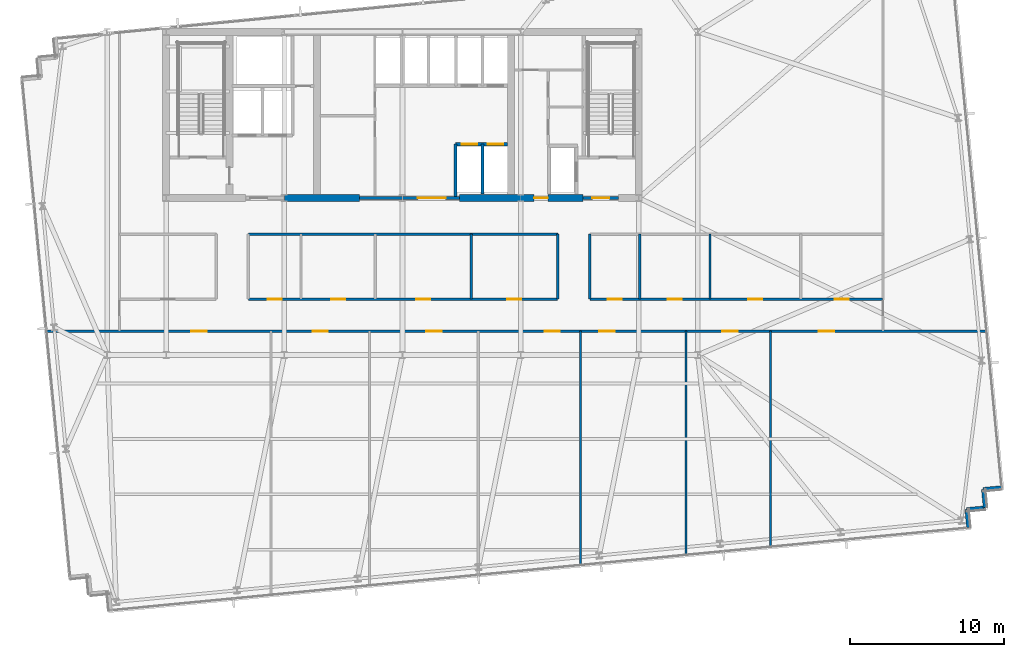
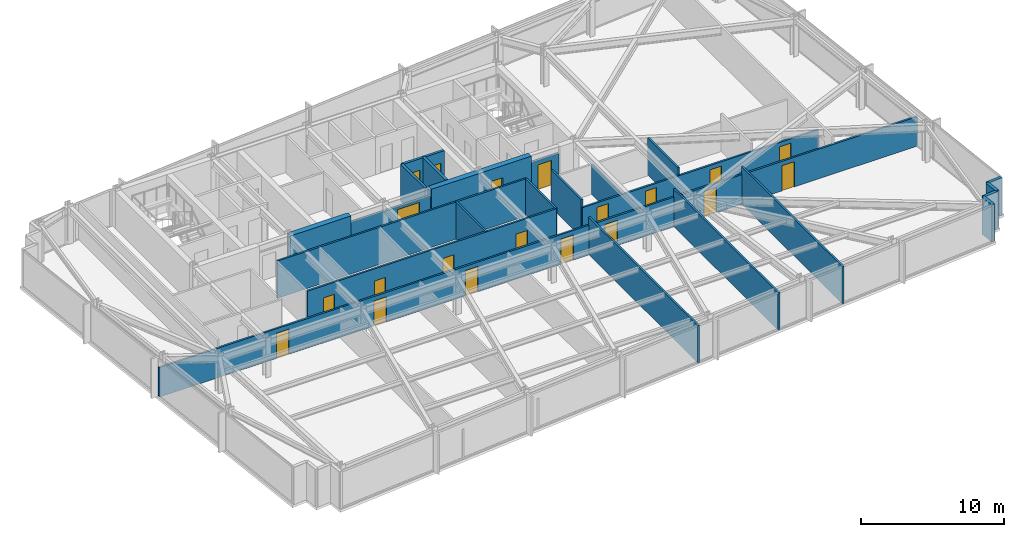
# One storey, part 25 of 33: 23 walls, 20 doors, 20 openings.
"""IFC4 building model written with IfcOpenShell, lengths in metres."""

from ifc_helpers import new_model, si_unit, direction, frame, frame_2d, origin, place, context, subcontext, project, spatial, rectangle, extrude, material, layer, layer_set, type_object, element, fill, save


model = new_model("IFC4")

# Units and contexts
model_context = context("Model", 3, precision=1e-05, world=origin(), true_north=direction((0.0, 1.0)))
body_context = subcontext(model_context, "Body", "Model", "MODEL_VIEW")
ifc_project = project(units=[si_unit("LENGTHUNIT", "METRE"), si_unit("AREAUNIT", "SQUARE_METRE"), si_unit("VOLUMEUNIT", "CUBIC_METRE"), si_unit("PLANEANGLEUNIT", "RADIAN"), si_unit("MASSUNIT", "GRAM", prefix="KILO")], contexts=[model_context])

# Site, building, storey
site_placement = place(None, origin())
site = spatial("IfcSite", under=ifc_project, at=site_placement, CompositionType="ELEMENT")
building_placement = place(site_placement, origin())
building = spatial("IfcBuilding", under=site, at=building_placement, Name="Yelkora Congress Tower", CompositionType="ELEMENT")
storey_placement = place(building_placement, frame((0.0, 0.0, 110.10009765625)))
storey = spatial("IfcBuildingStorey", under=building, at=storey_placement, Name="L29", CompositionType="ELEMENT", Elevation=110.10009765625)

# Wall
ifc_material_1 = material(Name="Concrete C60/75", Category="concrete")
ifc_layer_1 = layer(ifc_material_1, 0.449951171875)
ifc_layer_set_1 = layer_set([ifc_layer_1], Name="Concrete C60/75")
wall_type_1 = type_object("IfcWallType", Name="WALL-CORE-INT-450", PredefinedType="SHEAR", material=ifc_layer_set_1)
wall_1_placement = place(storey_placement, frame((30.719970703125, 35.39990234375, 0.0), z_axis=(0.0, 0.0, 1.0), x_axis=(1.0, 0.0, 0.0)))
element("IfcWall", 1, at=wall_1_placement, inside=storey, type_object=wall_type_1, Name="L29 Rear Core South-Center Shear Pier", PredefinedType="SHEAR", context=body_context, shape_type="SweptSolid", body=[
    extrude(rectangle(XDim=4.880126953125, YDim=0.449951171875, at=frame_2d((2.43994140625, 0.0))), origin(), (0.0, 0.0, 1.0), 3.179931640625),
])

# Wall, opening, door
wall_2_placement = place(storey_placement, frame((42.10009765625, 35.39990234375, 0.0), z_axis=(0.0, 0.0, 1.0), x_axis=(1.0, 0.0, 0.0)))
wall_2 = element("IfcWall", 2, at=wall_2_placement, inside=storey, type_object=wall_type_1, Name="L29 Rear Core South-East Shear Wall A", PredefinedType="SHEAR", context=body_context, shape_type="SweptSolid", body=[
    extrude(rectangle(XDim=8.0498046875, YDim=0.449951171875, at=frame_2d((4.02490234375, 0.0))), origin(), (0.0, 0.0, 1.0), 3.179931640625),
])
opening_1_placement = place(wall_2_placement, frame((4.85009765625, 0.0, 0.0)))
opening_1 = element("IfcOpeningElement", 3, at=opening_1_placement, cuts=wall_2, Name="Opening DR-090F6", PredefinedType="OPENING", context=body_context, shape_type="SweptSolid", body=[
    extrude(rectangle(XDim=0.89990234375, YDim=2.14990234375, at=frame_2d((0.449951171875, 1.074951171875))), frame((0.0, 0.23486328125, 0.0), z_axis=(0.0, -1.0, 0.0), x_axis=(1.0, 0.0, 0.0)), (0.0, 0.0, 1.0), 0.469970703125),
])
ifc_material_2 = material(Name="Painted steel riser fire door leaf", Category="steel")
door_type_1 = type_object("IfcDoorType", Name="DOOR-FD60-900", OperationType="NOTDEFINED", PredefinedType="DOOR", material=ifc_material_2)
door_1_placement = place(opening_1_placement, origin())
door_1 = element("IfcDoor", 4, at=door_1_placement, inside=storey, type_object=door_type_1, Name="L29 Core Washroom Lobby Door", OperationType="SINGLE_SWING_RIGHT", OverallHeight=2.14990234375, OverallWidth=0.89990234375, PredefinedType="DOOR", context=body_context, shape_type="SweptSolid", body=[
    extrude(rectangle(XDim=0.89990234375, YDim=2.14990234375, at=frame_2d((0.449951171875, 1.074951171875))), frame((0.0, 0.02490234375, 0.0), z_axis=(0.0, -1.0, 0.0), x_axis=(1.0, 0.0, 0.0)), (0.0, 0.0, 1.0), 0.050048828125),
])
fill(opening_1, door_1)

# Walls
ifc_material_3 = material(Name="Concrete C40/50", Category="concrete")
ifc_layer_2 = layer(ifc_material_3, 0.239990234375)
ifc_layer_set_2 = layer_set([ifc_layer_2], Name="Concrete C40/50")
wall_type_2 = type_object("IfcWallType", Name="WALL-EXT-LIMESTONE-240", PredefinedType="SOLIDWALL", material=ifc_layer_set_2)
wall_3_placement = place(storey_placement, frame((77.34765625, 16.585693359375, 0.0), z_axis=(0.0, 0.0, 1.0), x_axis=(-0.995397091755, -0.095836473879, 0.0)))
element("IfcWall", 5, at=wall_3_placement, inside=storey, type_object=wall_type_2, Name="L29 Serrated Corner Limestone Pier 16", PredefinedType="SOLIDWALL", context=body_context, shape_type="SweptSolid", body=[
    extrude(rectangle(XDim=1.199951171875, YDim=0.239990234375, at=frame_2d((0.60009765625, 0.0))), origin(), (0.0, 0.0, 1.0), 3.179931640625),
])
for number, where, z_axis, x_axis, name in (
    (6, (76.1533203125, 16.470703125, 0.0), (0.0, 0.0, 1.0), (0.095817067274, -0.995398960025, 0.0), "L29 Serrated Corner Limestone Pier 17"),
    (7, (76.268310546875, 15.276123046875, 0.0), (0.0, 0.0, 1.0), (-0.995398960025, -0.095817067274, 0.0), "L29 Serrated Corner Limestone Pier 18"),
):
    element("IfcWall", number, at=place(storey_placement, frame(where, z_axis=z_axis, x_axis=x_axis)), inside=storey, type_object=wall_type_2, Name=name, PredefinedType="SOLIDWALL", context=body_context, shape_type="SweptSolid", body=[
        extrude(rectangle(XDim=1.2001953125, YDim=0.239990234375, at=frame_2d((0.60009765625, 0.0))), origin(), (0.0, 0.0, 1.0), 3.179931640625),
    ])
wall_4_placement = place(storey_placement, frame((75.07373046875, 15.1611328125, 0.0), z_axis=(0.0, 0.0, 1.0), x_axis=(0.095836473879, -0.995397091755, 0.0)))
element("IfcWall", 8, at=wall_4_placement, inside=storey, type_object=wall_type_2, Name="L29 Serrated Corner Limestone Pier 19", PredefinedType="SOLIDWALL", context=body_context, shape_type="SweptSolid", body=[
    extrude(rectangle(XDim=1.199951171875, YDim=0.239990234375, at=frame_2d((0.60009765625, 0.0))), origin(), (0.0, 0.0, 1.0), 3.179931640625),
])
ifc_material_4 = material(Name="Acoustic metal-stud gypsum partition", Category="gypsum")
ifc_layer_3 = layer(ifc_material_4, 0.14990234375)
ifc_layer_set_3 = layer_set([ifc_layer_3], Name="Acoustic metal-stud gypsum partition")
wall_type_3 = type_object("IfcWallType", Name="WALL-INT-150-NR", PredefinedType="PARTITIONING", material=ifc_layer_set_3)
wall_5_placement = place(storey_placement, frame((49.97607421875, 11.478759765625, 0.0), z_axis=(0.0, 0.0, 1.0), x_axis=(0.0, 1.0, 0.0)))
element("IfcWall", 9, at=wall_5_placement, inside=storey, type_object=wall_type_3, Name="L29 Partition Wall 30", PredefinedType="PARTITIONING", context=body_context, shape_type="SweptSolid", body=[
    extrude(rectangle(XDim=15.291259765625, YDim=0.14990234375, at=frame_2d((7.6455078125, 0.0))), origin(), (0.0, 0.0, 1.0), 3.179931640625),
])
wall_6_placement = place(storey_placement, frame((56.833984375, 12.13916015625, 0.0), z_axis=(0.0, 0.0, 1.0), x_axis=(0.0, 1.0, 0.0)))
element("IfcWall", 10, at=wall_6_placement, inside=storey, type_object=wall_type_3, Name="L29 Partition Wall 31", PredefinedType="PARTITIONING", context=body_context, shape_type="SweptSolid", body=[
    extrude(rectangle(XDim=14.630859375, YDim=0.14990234375, at=frame_2d((7.3154296875, 0.0))), origin(), (0.0, 0.0, 1.0), 3.179931640625),
])
wall_7_placement = place(storey_placement, frame((62.320068359375, 12.667236328125, 0.0), z_axis=(0.0, 0.0, 1.0), x_axis=(0.0, 1.0, 0.0)))
element("IfcWall", 11, at=wall_7_placement, inside=storey, type_object=wall_type_3, Name="L29 Partition Wall 32", PredefinedType="PARTITIONING", context=body_context, shape_type="SweptSolid", body=[
    extrude(rectangle(XDim=14.102783203125, YDim=0.14990234375, at=frame_2d((7.05126953125, 0.0))), origin(), (0.0, 0.0, 1.0), 3.179931640625),
])

# Wall, openings, doors
wall_8_placement = place(storey_placement, frame((15.20751953125, 26.75, 0.0), z_axis=(0.0, 0.0, 1.0), x_axis=(1.0, 0.0, 0.0)))
wall_8 = element("IfcWall", 12, at=wall_8_placement, inside=storey, type_object=wall_type_3, Name="L29 South Spine Wall", PredefinedType="PARTITIONING", context=body_context, shape_type="SweptSolid", body=[
    extrude(rectangle(XDim=61.2216796875, YDim=0.14990234375, at=frame_2d((30.61083984375, 0.0))), origin(), (0.0, 0.0, 1.0), 2.52490234375),
])
opening_2_placement = place(wall_8_placement, frame((9.473876953125, 0.0, 0.0)))
opening_2 = element("IfcOpeningElement", 13, at=opening_2_placement, cuts=wall_8, Name="Opening DR-100N", PredefinedType="OPENING", context=body_context, shape_type="SweptSolid", body=[
    extrude(rectangle(XDim=1.0, YDim=2.14990234375, at=frame_2d((0.5, 1.074951171875))), frame((0.0, 0.0849609375, 0.0), z_axis=(0.0, -1.0, 0.0), x_axis=(1.0, 0.0, 0.0)), (0.0, 0.0, 1.0), 0.169921875),
])
opening_3_placement = place(wall_8_placement, frame((17.35107421875, 0.0, 0.0)))
opening_3 = element("IfcOpeningElement", 14, at=opening_3_placement, cuts=wall_8, Name="Opening DR-100N", PredefinedType="OPENING", context=body_context, shape_type="SweptSolid", body=[
    extrude(rectangle(XDim=1.0, YDim=2.14990234375, at=frame_2d((0.5, 1.074951171875))), frame((0.0, 0.0849609375, 0.0), z_axis=(0.0, -1.0, 0.0), x_axis=(1.0, 0.0, 0.0)), (0.0, 0.0, 1.0), 0.169921875),
])
opening_4_placement = place(wall_8_placement, frame((24.73583984375, 0.0, 0.0)))
opening_4 = element("IfcOpeningElement", 15, at=opening_4_placement, cuts=wall_8, Name="Opening DR-100N", PredefinedType="OPENING", context=body_context, shape_type="SweptSolid", body=[
    extrude(rectangle(XDim=1.0, YDim=2.14990234375, at=frame_2d((0.5, 1.074951171875))), frame((0.0, 0.0849609375, 0.0), z_axis=(0.0, -1.0, 0.0), x_axis=(1.0, 0.0, 0.0)), (0.0, 0.0, 1.0), 0.169921875),
])
opening_5_placement = place(wall_8_placement, frame((32.429443359375, 0.0, 0.0)))
opening_5 = element("IfcOpeningElement", 16, at=opening_5_placement, cuts=wall_8, Name="Opening DR-100N", PredefinedType="OPENING", context=body_context, shape_type="SweptSolid", body=[
    extrude(rectangle(XDim=1.0, YDim=2.14990234375, at=frame_2d((0.5, 1.074951171875))), frame((0.0, 0.0849609375, 0.0), z_axis=(0.0, -1.0, 0.0), x_axis=(1.0, 0.0, 0.0)), (0.0, 0.0, 1.0), 0.169921875),
])
opening_6_placement = place(wall_8_placement, frame((35.9931640625, 0.0, 0.0)))
opening_6 = element("IfcOpeningElement", 17, at=opening_6_placement, cuts=wall_8, Name="Opening DR-100N", PredefinedType="OPENING", context=body_context, shape_type="SweptSolid", body=[
    extrude(rectangle(XDim=1.0, YDim=2.14990234375, at=frame_2d((0.5, 1.074951171875))), frame((0.0, 0.0849609375, 0.0), z_axis=(0.0, -1.0, 0.0), x_axis=(1.0, 0.0, 0.0)), (0.0, 0.0, 1.0), 0.169921875),
])
opening_7_placement = place(wall_8_placement, frame((43.981689453125, 0.0, 0.0)))
opening_7 = element("IfcOpeningElement", 18, at=opening_7_placement, cuts=wall_8, Name="Opening DR-100N", PredefinedType="OPENING", context=body_context, shape_type="SweptSolid", body=[
    extrude(rectangle(XDim=1.0, YDim=2.14990234375, at=frame_2d((0.5, 1.074951171875))), frame((0.0, 0.0849609375, 0.0), z_axis=(0.0, -1.0, 0.0), x_axis=(1.0, 0.0, 0.0)), (0.0, 0.0, 1.0), 0.169921875),
])
opening_8_placement = place(wall_8_placement, frame((50.26708984375, 0.0, 0.0)))
opening_8 = element("IfcOpeningElement", 19, at=opening_8_placement, cuts=wall_8, Name="Opening DR-100N", PredefinedType="OPENING", context=body_context, shape_type="SweptSolid", body=[
    extrude(rectangle(XDim=1.0, YDim=2.14990234375, at=frame_2d((0.5, 1.074951171875))), frame((0.0, 0.0849609375, 0.0), z_axis=(0.0, -1.0, 0.0), x_axis=(1.0, 0.0, 0.0)), (0.0, 0.0, 1.0), 0.169921875),
])
ifc_material_5 = material(Name="Solid-core Anatolian oak veneer door", Category="wood")
door_type_2 = type_object("IfcDoorType", Name="DOOR-INT-1000", OperationType="NOTDEFINED", PredefinedType="DOOR", material=ifc_material_5)
door_2_placement = place(opening_2_placement, origin())
door_2 = element("IfcDoor", 20, at=door_2_placement, inside=storey, type_object=door_type_2, Name="L29 Store Filing Door", OperationType="SINGLE_SWING_LEFT", OverallHeight=2.14990234375, OverallWidth=1.0, PredefinedType="DOOR", context=body_context, shape_type="SweptSolid", body=[
    extrude(rectangle(XDim=1.0, YDim=2.14990234375, at=frame_2d((0.5, 1.074951171875))), frame((0.0, 0.02490234375, 0.0), z_axis=(0.0, -1.0, 0.0), x_axis=(1.0, 0.0, 0.0)), (0.0, 0.0, 1.0), 0.050048828125),
])
fill(opening_2, door_2)
door_3_placement = place(opening_3_placement, origin())
door_3 = element("IfcDoor", 21, at=door_3_placement, inside=storey, type_object=door_type_2, Name="L29 Living Club Lounge Door", OperationType="SINGLE_SWING_RIGHT", OverallHeight=2.14990234375, OverallWidth=1.0, PredefinedType="DOOR", context=body_context, shape_type="SweptSolid", body=[
    extrude(rectangle(XDim=1.0, YDim=2.14990234375, at=frame_2d((0.5, 1.074951171875))), frame((0.0, 0.02490234375, 0.0), z_axis=(0.0, -1.0, 0.0), x_axis=(1.0, 0.0, 0.0)), (0.0, 0.0, 1.0), 0.050048828125),
])
fill(opening_3, door_3)
door_4_placement = place(opening_4_placement, origin())
door_4 = element("IfcDoor", 22, at=door_4_placement, inside=storey, type_object=door_type_2, Name="L29 Executive Office Door", OperationType="SINGLE_SWING_LEFT", OverallHeight=2.14990234375, OverallWidth=1.0, PredefinedType="DOOR", context=body_context, shape_type="SweptSolid", body=[
    extrude(rectangle(XDim=1.0, YDim=2.14990234375, at=frame_2d((0.5, 1.074951171875))), frame((0.0, 0.02490234375, 0.0), z_axis=(0.0, -1.0, 0.0), x_axis=(1.0, 0.0, 0.0)), (0.0, 0.0, 1.0), 0.050048828125),
])
fill(opening_4, door_4)
door_5_placement = place(opening_5_placement, origin())
door_5 = element("IfcDoor", 23, at=door_5_placement, inside=storey, type_object=door_type_2, Name="L29 Executive Office Door", OperationType="SINGLE_SWING_RIGHT", OverallHeight=2.14990234375, OverallWidth=1.0, PredefinedType="DOOR", context=body_context, shape_type="SweptSolid", body=[
    extrude(rectangle(XDim=1.0, YDim=2.14990234375, at=frame_2d((0.5, 1.074951171875))), frame((0.0, 0.02490234375, 0.0), z_axis=(0.0, -1.0, 0.0), x_axis=(1.0, 0.0, 0.0)), (0.0, 0.0, 1.0), 0.050048828125),
])
fill(opening_5, door_5)
door_6_placement = place(opening_6_placement, origin())
door_6 = element("IfcDoor", 24, at=door_6_placement, inside=storey, type_object=door_type_2, Name="L29 Executive Office Door", OperationType="SINGLE_SWING_LEFT", OverallHeight=2.14990234375, OverallWidth=1.0, PredefinedType="DOOR", context=body_context, shape_type="SweptSolid", body=[
    extrude(rectangle(XDim=1.0, YDim=2.14990234375, at=frame_2d((0.5, 1.074951171875))), frame((0.0, 0.02490234375, 0.0), z_axis=(0.0, -1.0, 0.0), x_axis=(1.0, 0.0, 0.0)), (0.0, 0.0, 1.0), 0.050048828125),
])
fill(opening_6, door_6)
door_7_placement = place(opening_7_placement, origin())
door_7 = element("IfcDoor", 25, at=door_7_placement, inside=storey, type_object=door_type_2, Name="L29 Executive Office Door", OperationType="SINGLE_SWING_RIGHT", OverallHeight=2.14990234375, OverallWidth=1.0, PredefinedType="DOOR", context=body_context, shape_type="SweptSolid", body=[
    extrude(rectangle(XDim=1.0, YDim=2.14990234375, at=frame_2d((0.5, 1.074951171875))), frame((0.0, 0.02490234375, 0.0), z_axis=(0.0, -1.0, 0.0), x_axis=(1.0, 0.0, 0.0)), (0.0, 0.0, 1.0), 0.050048828125),
])
fill(opening_7, door_7)
door_8_placement = place(opening_8_placement, origin())
door_8 = element("IfcDoor", 26, at=door_8_placement, inside=storey, type_object=door_type_2, Name="L29 Tea & Coffee Kitchen Door", OperationType="SINGLE_SWING_LEFT", OverallHeight=2.14990234375, OverallWidth=1.0, PredefinedType="DOOR", context=body_context, shape_type="SweptSolid", body=[
    extrude(rectangle(XDim=1.0, YDim=2.14990234375, at=frame_2d((0.5, 1.074951171875))), frame((0.0, 0.02490234375, 0.0), z_axis=(0.0, -1.0, 0.0), x_axis=(1.0, 0.0, 0.0)), (0.0, 0.0, 1.0), 0.050048828125),
])
fill(opening_8, door_8)

# Walls
for number, where, z_axis, x_axis, name in (
    (27, (48.5, 28.830078125, 0.0), (0.0, 0.0, 1.0), (0.0, 1.0, 0.0), "L29 Partition Wall 38"),
    (28, (50.580078125, 28.830078125, 0.0), (0.0, 0.0, 1.0), (0.0, 1.0, 0.0), "L29 Partition Wall 39"),
):
    element("IfcWall", number, at=place(storey_placement, frame(where, z_axis=z_axis, x_axis=x_axis)), inside=storey, type_object=wall_type_3, Name=name, PredefinedType="PARTITIONING", context=body_context, shape_type="SweptSolid", body=[
        extrude(rectangle(XDim=4.219970703125, YDim=0.14990234375, at=frame_2d((2.10986328125, 0.0))), origin(), (0.0, 0.0, 1.0), 3.179931640625),
    ])
wall_9_placement = place(storey_placement, frame((28.3798828125, 33.050048828125, 0.0), z_axis=(0.0, 0.0, 1.0), x_axis=(1.0, 0.0, 0.0)))
element("IfcWall", 29, at=wall_9_placement, inside=storey, type_object=wall_type_3, Name="L29 Partition Wall 41", PredefinedType="PARTITIONING", context=body_context, shape_type="SweptSolid", body=[
    extrude(rectangle(XDim=20.1201171875, YDim=0.14990234375, at=frame_2d((10.06005859375, 0.0))), origin(), (0.0, 0.0, 1.0), 3.179931640625),
])
wall_10_placement = place(storey_placement, frame((42.862060546875, 28.830078125, 0.0), z_axis=(0.0, 0.0, 1.0), x_axis=(0.0, 1.0, 0.0)))
element("IfcWall", 30, at=wall_10_placement, inside=storey, type_object=wall_type_3, Name="L29 Partition Wall 46", PredefinedType="PARTITIONING", context=body_context, shape_type="SweptSolid", body=[
    extrude(rectangle(XDim=4.219970703125, YDim=0.14990234375, at=frame_2d((2.10986328125, 0.0))), origin(), (0.0, 0.0, 1.0), 3.179931640625),
])

# Wall, openings, doors
wall_11_placement = place(storey_placement, frame((28.389892578125, 28.830078125, 0.0), z_axis=(0.0, 0.0, 1.0), x_axis=(1.0, 0.0, 0.0)))
wall_11 = element("IfcWall", 31, at=wall_11_placement, inside=storey, type_object=wall_type_3, Name="L29 Partition Wall 47", PredefinedType="PARTITIONING", context=body_context, shape_type="SweptSolid", body=[
    extrude(rectangle(XDim=20.10009765625, YDim=0.14990234375, at=frame_2d((10.050048828125, 0.0))), origin(), (0.0, 0.0, 1.0), 3.179931640625),
])
opening_9_placement = place(wall_11_placement, frame((1.258544921875, 0.0, 0.0)))
opening_9 = element("IfcOpeningElement", 32, at=opening_9_placement, cuts=wall_11, Name="Opening DR-090N", PredefinedType="OPENING", context=body_context, shape_type="SweptSolid", body=[
    extrude(rectangle(XDim=0.89990234375, YDim=2.14990234375, at=frame_2d((0.449951171875, 1.074951171875))), frame((0.0, 0.0849609375, 0.0), z_axis=(0.0, -1.0, 0.0), x_axis=(1.0, 0.0, 0.0)), (0.0, 0.0, 1.0), 0.169921875),
])
opening_10_placement = place(wall_11_placement, frame((5.37890625, 0.0, 0.0)))
opening_10 = element("IfcOpeningElement", 33, at=opening_10_placement, cuts=wall_11, Name="Opening DR-090N", PredefinedType="OPENING", context=body_context, shape_type="SweptSolid", body=[
    extrude(rectangle(XDim=0.89990234375, YDim=2.14990234375, at=frame_2d((0.449951171875, 1.074951171875))), frame((0.0, 0.0849609375, 0.0), z_axis=(0.0, -1.0, 0.0), x_axis=(1.0, 0.0, 0.0)), (0.0, 0.0, 1.0), 0.169921875),
])
opening_11_placement = place(wall_11_placement, frame((10.906494140625, 0.0, 0.0)))
opening_11 = element("IfcOpeningElement", 34, at=opening_11_placement, cuts=wall_11, Name="Opening DR-090N", PredefinedType="OPENING", context=body_context, shape_type="SweptSolid", body=[
    extrude(rectangle(XDim=0.89990234375, YDim=2.14990234375, at=frame_2d((0.449951171875, 1.074951171875))), frame((0.0, 0.0849609375, 0.0), z_axis=(0.0, -1.0, 0.0), x_axis=(1.0, 0.0, 0.0)), (0.0, 0.0, 1.0), 0.169921875),
])
opening_12_placement = place(wall_11_placement, frame((16.8359375, 0.0, 0.0)))
opening_12 = element("IfcOpeningElement", 35, at=opening_12_placement, cuts=wall_11, Name="Opening DR-090N", PredefinedType="OPENING", context=body_context, shape_type="SweptSolid", body=[
    extrude(rectangle(XDim=0.89990234375, YDim=2.14990234375, at=frame_2d((0.449951171875, 1.074951171875))), frame((0.0, 0.0849609375, 0.0), z_axis=(0.0, -1.0, 0.0), x_axis=(1.0, 0.0, 0.0)), (0.0, 0.0, 1.0), 0.169921875),
])
ifc_material_6 = material(Name="Moisture-resistant laminate door leaf", Category="wood")
door_type_3 = type_object("IfcDoorType", Name="DOOR-INT-900", OperationType="NOTDEFINED", PredefinedType="DOOR", material=ifc_material_6)
door_9_placement = place(opening_9_placement, origin())
door_9 = element("IfcDoor", 36, at=door_9_placement, inside=storey, type_object=door_type_3, Name="L29 Executive Library Door", OperationType="SINGLE_SWING_LEFT", OverallHeight=2.14990234375, OverallWidth=0.89990234375, PredefinedType="DOOR", context=body_context, shape_type="SweptSolid", body=[
    extrude(rectangle(XDim=0.89990234375, YDim=2.14990234375, at=frame_2d((0.449951171875, 1.074951171875))), frame((0.0, 0.02490234375, 0.0), z_axis=(0.0, -1.0, 0.0), x_axis=(1.0, 0.0, 0.0)), (0.0, 0.0, 1.0), 0.050048828125),
])
fill(opening_9, door_9)
door_10_placement = place(opening_10_placement, origin())
door_10 = element("IfcDoor", 37, at=door_10_placement, inside=storey, type_object=door_type_3, Name="L29 Delegate Kiosk Door", OperationType="SINGLE_SWING_RIGHT", OverallHeight=2.14990234375, OverallWidth=0.89990234375, PredefinedType="DOOR", context=body_context, shape_type="SweptSolid", body=[
    extrude(rectangle(XDim=0.89990234375, YDim=2.14990234375, at=frame_2d((0.449951171875, 1.074951171875))), frame((0.0, 0.02490234375, 0.0), z_axis=(0.0, -1.0, 0.0), x_axis=(1.0, 0.0, 0.0)), (0.0, 0.0, 1.0), 0.050048828125),
])
fill(opening_10, door_10)
door_11_placement = place(opening_11_placement, origin())
door_11 = element("IfcDoor", 38, at=door_11_placement, inside=storey, type_object=door_type_3, Name="L29 Fitness Yoga Studio Door", OperationType="SINGLE_SWING_LEFT", OverallHeight=2.14990234375, OverallWidth=0.89990234375, PredefinedType="DOOR", context=body_context, shape_type="SweptSolid", body=[
    extrude(rectangle(XDim=0.89990234375, YDim=2.14990234375, at=frame_2d((0.449951171875, 1.074951171875))), frame((0.0, 0.02490234375, 0.0), z_axis=(0.0, -1.0, 0.0), x_axis=(1.0, 0.0, 0.0)), (0.0, 0.0, 1.0), 0.050048828125),
])
fill(opening_11, door_11)
door_12_placement = place(opening_12_placement, origin())
door_12 = element("IfcDoor", 39, at=door_12_placement, inside=storey, type_object=door_type_3, Name="L29 Executive Library Door", OperationType="SINGLE_SWING_RIGHT", OverallHeight=2.14990234375, OverallWidth=0.89990234375, PredefinedType="DOOR", context=body_context, shape_type="SweptSolid", body=[
    extrude(rectangle(XDim=0.89990234375, YDim=2.14990234375, at=frame_2d((0.449951171875, 1.074951171875))), frame((0.0, 0.02490234375, 0.0), z_axis=(0.0, -1.0, 0.0), x_axis=(1.0, 0.0, 0.0)), (0.0, 0.0, 1.0), 0.050048828125),
])
fill(opening_12, door_12)

# Walls
wall_12_placement = place(storey_placement, frame((53.822998046875, 28.830078125, 0.0), z_axis=(0.0, 0.0, 1.0), x_axis=(0.0, 1.0, 0.0)))
element("IfcWall", 40, at=wall_12_placement, inside=storey, type_object=wall_type_3, Name="L29 Partition Wall 48", PredefinedType="PARTITIONING", context=body_context, shape_type="SweptSolid", body=[
    extrude(rectangle(XDim=4.219970703125, YDim=0.14990234375, at=frame_2d((2.10986328125, 0.0))), origin(), (0.0, 0.0, 1.0), 2.52490234375),
])
wall_13_placement = place(storey_placement, frame((58.387939453125, 28.830078125, 0.0), z_axis=(0.0, 0.0, 1.0), x_axis=(0.0, 1.0, 0.0)))
element("IfcWall", 41, at=wall_13_placement, inside=storey, type_object=wall_type_3, Name="L29 Partition Wall 49", PredefinedType="PARTITIONING", context=body_context, shape_type="SweptSolid", body=[
    extrude(rectangle(XDim=4.219970703125, YDim=0.14990234375, at=frame_2d((2.10986328125, 0.0))), origin(), (0.0, 0.0, 1.0), 3.179931640625),
])

# Wall, openings, doors
wall_14_placement = place(storey_placement, frame((50.590087890625, 28.830078125, 0.0), z_axis=(0.0, 0.0, 1.0), x_axis=(1.0, 0.0, 0.0)))
wall_14 = element("IfcWall", 42, at=wall_14_placement, inside=storey, type_object=wall_type_3, Name="L29 Partition Wall 51", PredefinedType="PARTITIONING", context=body_context, shape_type="SweptSolid", body=[
    extrude(rectangle(XDim=19.018798828125, YDim=0.14990234375, at=frame_2d((9.50927734375, 0.0))), origin(), (0.0, 0.0, 1.0), 2.52490234375),
])
opening_13_placement = place(wall_14_placement, frame((1.16650390625, 0.0, 0.0)))
opening_13 = element("IfcOpeningElement", 43, at=opening_13_placement, cuts=wall_14, Name="Opening DR-090N", PredefinedType="OPENING", context=body_context, shape_type="SweptSolid", body=[
    extrude(rectangle(XDim=0.89990234375, YDim=2.14990234375, at=frame_2d((0.449951171875, 1.074951171875))), frame((0.0, 0.0849609375, 0.0), z_axis=(0.0, -1.0, 0.0), x_axis=(1.0, 0.0, 0.0)), (0.0, 0.0, 1.0), 0.169921875),
])
opening_14_placement = place(wall_14_placement, frame((5.0654296875, 0.0, 0.0)))
opening_14 = element("IfcOpeningElement", 44, at=opening_14_placement, cuts=wall_14, Name="Opening DR-090N", PredefinedType="OPENING", context=body_context, shape_type="SweptSolid", body=[
    extrude(rectangle(XDim=0.89990234375, YDim=2.14990234375, at=frame_2d((0.449951171875, 1.074951171875))), frame((0.0, 0.0849609375, 0.0), z_axis=(0.0, -1.0, 0.0), x_axis=(1.0, 0.0, 0.0)), (0.0, 0.0, 1.0), 0.169921875),
])
opening_15_placement = place(wall_14_placement, frame((10.2958984375, 0.0, 0.0)))
opening_15 = element("IfcOpeningElement", 45, at=opening_15_placement, cuts=wall_14, Name="Opening DR-090N", PredefinedType="OPENING", context=body_context, shape_type="SweptSolid", body=[
    extrude(rectangle(XDim=0.89990234375, YDim=2.14990234375, at=frame_2d((0.449951171875, 1.074951171875))), frame((0.0, 0.0849609375, 0.0), z_axis=(0.0, -1.0, 0.0), x_axis=(1.0, 0.0, 0.0)), (0.0, 0.0, 1.0), 0.169921875),
])
opening_16_placement = place(wall_14_placement, frame((15.906494140625, 0.0, 0.0)))
opening_16 = element("IfcOpeningElement", 46, at=opening_16_placement, cuts=wall_14, Name="Opening DR-090N", PredefinedType="OPENING", context=body_context, shape_type="SweptSolid", body=[
    extrude(rectangle(XDim=0.89990234375, YDim=2.14990234375, at=frame_2d((0.449951171875, 1.074951171875))), frame((0.0, 0.0849609375, 0.0), z_axis=(0.0, -1.0, 0.0), x_axis=(1.0, 0.0, 0.0)), (0.0, 0.0, 1.0), 0.169921875),
])
door_13_placement = place(opening_13_placement, origin())
door_13 = element("IfcDoor", 47, at=door_13_placement, inside=storey, type_object=door_type_3, Name="L29 Delegate Kiosk Door", OperationType="SINGLE_SWING_LEFT", OverallHeight=2.14990234375, OverallWidth=0.89990234375, PredefinedType="DOOR", context=body_context, shape_type="SweptSolid", body=[
    extrude(rectangle(XDim=0.89990234375, YDim=2.14990234375, at=frame_2d((0.449951171875, 1.074951171875))), frame((0.0, 0.02490234375, 0.0), z_axis=(0.0, -1.0, 0.0), x_axis=(1.0, 0.0, 0.0)), (0.0, 0.0, 1.0), 0.050048828125),
])
fill(opening_13, door_13)
door_14_placement = place(opening_14_placement, origin())
door_14 = element("IfcDoor", 48, at=door_14_placement, inside=storey, type_object=door_type_3, Name="L29 Fitness Yoga Studio Door", OperationType="SINGLE_SWING_RIGHT", OverallHeight=2.14990234375, OverallWidth=0.89990234375, PredefinedType="DOOR", context=body_context, shape_type="SweptSolid", body=[
    extrude(rectangle(XDim=0.89990234375, YDim=2.14990234375, at=frame_2d((0.449951171875, 1.074951171875))), frame((0.0, 0.02490234375, 0.0), z_axis=(0.0, -1.0, 0.0), x_axis=(1.0, 0.0, 0.0)), (0.0, 0.0, 1.0), 0.050048828125),
])
fill(opening_14, door_14)
door_15_placement = place(opening_15_placement, origin())
door_15 = element("IfcDoor", 49, at=door_15_placement, inside=storey, type_object=door_type_3, Name="L29 Executive Library Door", OperationType="SINGLE_SWING_LEFT", OverallHeight=2.14990234375, OverallWidth=0.89990234375, PredefinedType="DOOR", context=body_context, shape_type="SweptSolid", body=[
    extrude(rectangle(XDim=0.89990234375, YDim=2.14990234375, at=frame_2d((0.449951171875, 1.074951171875))), frame((0.0, 0.02490234375, 0.0), z_axis=(0.0, -1.0, 0.0), x_axis=(1.0, 0.0, 0.0)), (0.0, 0.0, 1.0), 0.050048828125),
])
fill(opening_15, door_15)
door_16_placement = place(opening_16_placement, origin())
door_16 = element("IfcDoor", 50, at=door_16_placement, inside=storey, type_object=door_type_3, Name="L29 Delegate Kiosk Door", OperationType="SINGLE_SWING_RIGHT", OverallHeight=2.14990234375, OverallWidth=0.89990234375, PredefinedType="DOOR", context=body_context, shape_type="SweptSolid", body=[
    extrude(rectangle(XDim=0.89990234375, YDim=2.14990234375, at=frame_2d((0.449951171875, 1.074951171875))), frame((0.0, 0.02490234375, 0.0), z_axis=(0.0, -1.0, 0.0), x_axis=(1.0, 0.0, 0.0)), (0.0, 0.0, 1.0), 0.050048828125),
])
fill(opening_16, door_16)

# Wall, opening, door
ifc_material_7 = material(Name="Autoclaved aerated concrete blockwork", Category="masonry")
ifc_layer_4 = layer(ifc_material_7, 0.199951171875)
ifc_layer_set_4 = layer_set([ifc_layer_4], Name="Autoclaved aerated concrete blockwork")
wall_type_4 = type_object("IfcWallType", Name="WALL-INT-200-R120", PredefinedType="PARTITIONING", material=ifc_layer_set_4)
wall_15_placement = place(storey_placement, frame((35.60009765625, 35.39990234375, 0.0), z_axis=(0.0, 0.0, 1.0), x_axis=(1.0, 0.0, 0.0)))
wall_15 = element("IfcWall", 51, at=wall_15_placement, inside=storey, type_object=wall_type_4, Name="L29 Main Lift Lobby South Portal Wall", PredefinedType="PARTITIONING", context=body_context, shape_type="SweptSolid", body=[
    extrude(rectangle(XDim=6.5, YDim=0.199951171875, at=frame_2d((3.25, 0.0))), origin(), (0.0, 0.0, 1.0), 2.52490234375),
])
opening_17_placement = place(wall_15_placement, frame((3.800048828125, 0.0, 0.0)))
opening_17 = element("IfcOpeningElement", 52, at=opening_17_placement, cuts=wall_15, Name="Opening DR-180D", PredefinedType="OPENING", context=body_context, shape_type="SweptSolid", body=[
    extrude(rectangle(XDim=1.800048828125, YDim=2.300048828125, at=frame_2d((0.89990234375, 1.14990234375))), frame((0.0, 0.10986328125, 0.0), z_axis=(0.0, -1.0, 0.0), x_axis=(1.0, 0.0, 0.0)), (0.0, 0.0, 1.0), 0.219970703125),
])
ifc_material_8 = material(Name="Acoustic double congress hall doors", Category="wood")
door_type_4 = type_object("IfcDoorType", Name="DOOR-DBL-1800", OperationType="DOUBLE_DOOR_SINGLE_SWING", PredefinedType="DOOR", material=ifc_material_8)
door_17_placement = place(opening_17_placement, origin())
door_17 = element("IfcDoor", 53, at=door_17_placement, inside=storey, type_object=door_type_4, Name="L29 Main Lift Lobby Portal Door", OperationType="DOUBLE_DOOR_SINGLE_SWING", OverallHeight=2.300048828125, OverallWidth=1.800048828125, PredefinedType="DOOR", context=body_context, shape_type="SweptSolid", body=[
    extrude(rectangle(XDim=1.800048828125, YDim=2.300048828125, at=frame_2d((0.89990234375, 1.14990234375))), frame((0.0, 0.02490234375, 0.0), z_axis=(0.0, -1.0, 0.0), x_axis=(1.0, 0.0, 0.0)), (0.0, 0.0, 1.0), 0.050048828125),
])
fill(opening_17, door_17)

# Wall, openings, doors
wall_16_placement = place(storey_placement, frame((41.85009765625, 38.89990234375, 0.0), z_axis=(0.0, 0.0, 1.0), x_axis=(1.0, 0.0, 0.0)))
wall_16 = element("IfcWall", 54, at=wall_16_placement, inside=storey, type_object=wall_type_4, Name="L29 Partition Wall 13", PredefinedType="PARTITIONING", context=body_context, shape_type="SweptSolid", body=[
    extrude(rectangle(XDim=3.369873046875, YDim=0.199951171875, at=frame_2d((1.68505859375, 0.0))), origin(), (0.0, 0.0, 1.0), 3.179931640625),
])
opening_18_placement = place(wall_16_placement, frame((0.39990234375, 0.0, 0.0)))
opening_18 = element("IfcOpeningElement", 55, at=opening_18_placement, cuts=wall_16, Name="Opening LD-PS10", PredefinedType="OPENING", context=body_context, shape_type="SweptSolid", body=[
    extrude(rectangle(XDim=1.0, YDim=2.199951171875, at=frame_2d((0.5, 1.10009765625))), frame((0.0, 0.10986328125, 0.0), z_axis=(0.0, -1.0, 0.0), x_axis=(1.0, 0.0, 0.0)), (0.0, 0.0, 1.0), 0.219970703125),
])
opening_19_placement = place(wall_16_placement, frame((2.10009765625, 0.0, 0.0)))
opening_19 = element("IfcOpeningElement", 56, at=opening_19_placement, cuts=wall_16, Name="Opening LD-PS10", PredefinedType="OPENING", context=body_context, shape_type="SweptSolid", body=[
    extrude(rectangle(XDim=1.0, YDim=2.199951171875, at=frame_2d((0.5, 1.10009765625))), frame((0.0, 0.10986328125, 0.0), z_axis=(0.0, -1.0, 0.0), x_axis=(1.0, 0.0, 0.0)), (0.0, 0.0, 1.0), 0.219970703125),
])
ifc_material_9 = material(Name="Champagne stainless steel landing door", Category="steel")
door_type_5 = type_object("IfcDoorType", Name="DOOR-LIFT-PAS-1000", OperationType="DOUBLE_DOOR_SLIDING", PredefinedType="DOOR", material=ifc_material_9)
door_18_placement = place(opening_18_placement, origin())
door_18 = element("IfcDoor", 57, at=door_18_placement, inside=storey, type_object=door_type_5, Name="Lift Landing Door LF-P5 L29", OperationType="DOUBLE_DOOR_SLIDING", OverallHeight=2.199951171875, OverallWidth=1.0, PredefinedType="DOOR", context=body_context, shape_type="SweptSolid", body=[
    extrude(rectangle(XDim=1.0, YDim=2.199951171875, at=frame_2d((0.5, 1.10009765625))), frame((0.0, 0.02490234375, 0.0), z_axis=(0.0, -1.0, 0.0), x_axis=(1.0, 0.0, 0.0)), (0.0, 0.0, 1.0), 0.050048828125),
])
fill(opening_18, door_18)
door_19_placement = place(opening_19_placement, origin())
door_19 = element("IfcDoor", 58, at=door_19_placement, inside=storey, type_object=door_type_5, Name="Lift Landing Door LF-P6 L29", OperationType="DOUBLE_DOOR_SLIDING", OverallHeight=2.199951171875, OverallWidth=1.0, PredefinedType="DOOR", context=body_context, shape_type="SweptSolid", body=[
    extrude(rectangle(XDim=1.0, YDim=2.199951171875, at=frame_2d((0.5, 1.10009765625))), frame((0.0, 0.02490234375, 0.0), z_axis=(0.0, -1.0, 0.0), x_axis=(1.0, 0.0, 0.0)), (0.0, 0.0, 1.0), 0.050048828125),
])
fill(opening_19, door_19)

# Walls
wall_17_placement = place(storey_placement, frame((43.60009765625, 35.64990234375, 0.0), z_axis=(0.0, 0.0, 1.0), x_axis=(0.0, 1.0, 0.0)))
element("IfcWall", 59, at=wall_17_placement, inside=storey, type_object=wall_type_4, Name="L29 Partition Wall 15", PredefinedType="PARTITIONING", context=body_context, shape_type="SweptSolid", body=[
    extrude(rectangle(XDim=3.25, YDim=0.199951171875, at=frame_2d((1.625, 0.0))), origin(), (0.0, 0.0, 1.0), 3.179931640625),
])
wall_18_placement = place(storey_placement, frame((41.85009765625, 35.5, 0.0), z_axis=(0.0, 0.0, 1.0), x_axis=(0.0, 1.0, 0.0)))
element("IfcWall", 60, at=wall_18_placement, inside=storey, type_object=wall_type_4, Name="L29 Partition Wall 17", PredefinedType="PARTITIONING", context=body_context, shape_type="SweptSolid", body=[
    extrude(rectangle(XDim=3.39990234375, YDim=0.199951171875, at=frame_2d((1.699951171875, 0.0))), origin(), (0.0, 0.0, 1.0), 3.179931640625),
])

# Wall, opening, door
wall_19_placement = place(storey_placement, frame((50.14990234375, 35.39990234375, 0.0), z_axis=(0.0, 0.0, 1.0), x_axis=(1.0, 0.0, 0.0)))
wall_19 = element("IfcWall", 61, at=wall_19_placement, inside=storey, type_object=wall_type_4, Name="L29 Partition Wall 20", PredefinedType="PARTITIONING", context=body_context, shape_type="SweptSolid", body=[
    extrude(rectangle(XDim=2.300048828125, YDim=0.199951171875, at=frame_2d((1.14990234375, 0.0))), origin(), (0.0, 0.0, 1.0), 2.52490234375),
])
opening_20_placement = place(wall_19_placement, frame((0.60009765625, 0.0, 0.0)))
opening_20 = element("IfcOpeningElement", 62, at=opening_20_placement, cuts=wall_19, Name="Opening DR-110F9", PredefinedType="OPENING", context=body_context, shape_type="SweptSolid", body=[
    extrude(rectangle(XDim=1.10009765625, YDim=2.14990234375, at=frame_2d((0.550048828125, 1.074951171875))), frame((0.0, 0.10986328125, 0.0), z_axis=(0.0, -1.0, 0.0), x_axis=(1.0, 0.0, 0.0)), (0.0, 0.0, 1.0), 0.219970703125),
])
ifc_material_10 = material(Name="Galvanised steel fire door leaf", Category="steel")
door_type_6 = type_object("IfcDoorType", Name="DOOR-FD90-1100", OperationType="NOTDEFINED", PredefinedType="DOOR", material=ifc_material_10)
door_20_placement = place(opening_20_placement, origin())
door_20 = element("IfcDoor", 63, at=door_20_placement, inside=storey, type_object=door_type_6, Name="L29 East Stair Lobby Door", OperationType="SINGLE_SWING_RIGHT", OverallHeight=2.14990234375, OverallWidth=1.10009765625, PredefinedType="DOOR", context=body_context, shape_type="SweptSolid", body=[
    extrude(rectangle(XDim=1.10009765625, YDim=2.14990234375, at=frame_2d((0.550048828125, 1.074951171875))), frame((0.0, 0.02490234375, 0.0), z_axis=(0.0, -1.0, 0.0), x_axis=(1.0, 0.0, 0.0)), (0.0, 0.0, 1.0), 0.050048828125),
])
fill(opening_20, door_20)

save(model, "model.ifc")
